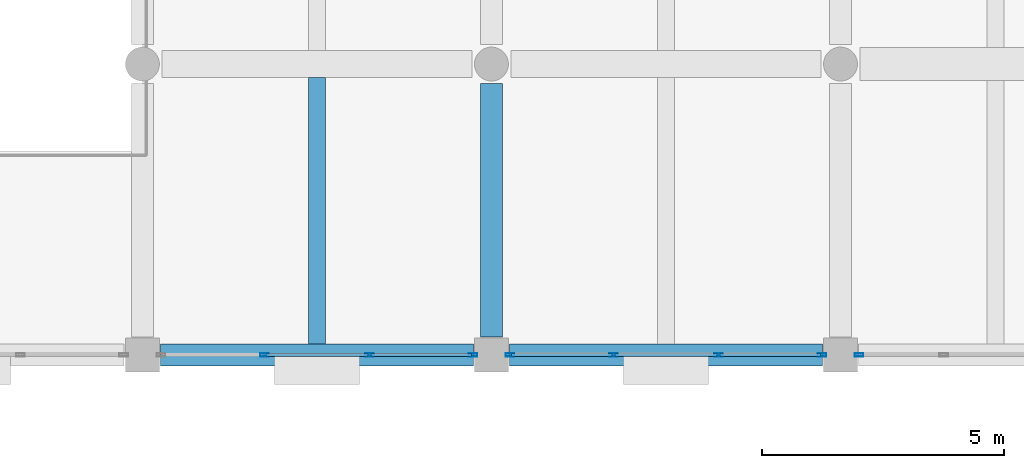
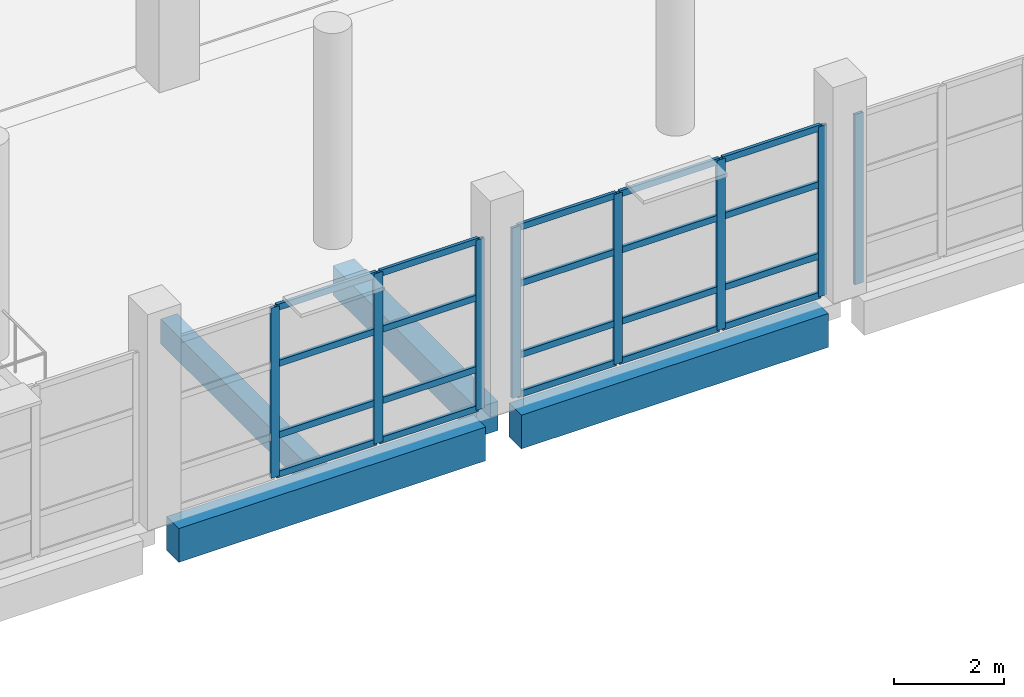
# One storey, part 37 of 91: 28 members, 4 beams, 3 elements without a shape of their own.
"""IFC4 building model written with IfcOpenShell, lengths in metres."""

from ifc_helpers import new_model, si_unit, direction, frame, origin, origin_2d, place, context, subcontext, project, spatial, rectangle, hollow_rectangle, extrude, material, material_profile, profile_set, type_object, element, aggregate, save


model = new_model("IFC4")

# Units and contexts
model_context = context("Model", 3, precision=1e-05, world=origin(), true_north=direction((0.0, 1.0)))
body_context = subcontext(model_context, "Body", "Model", "MODEL_VIEW")
ifc_project = project(units=[si_unit("LENGTHUNIT", "METRE"), si_unit("AREAUNIT", "SQUARE_METRE"), si_unit("VOLUMEUNIT", "CUBIC_METRE"), si_unit("PLANEANGLEUNIT", "RADIAN"), si_unit("MASSUNIT", "GRAM", prefix="KILO")], contexts=[model_context])

# Site, building, storey
site_placement = place(None, origin())
site = spatial("IfcSite", under=ifc_project, at=site_placement, CompositionType="ELEMENT")
building_placement = place(site_placement, origin())
building = spatial("IfcBuilding", under=site, at=building_placement, Name="Pellamere Symphony Hall", CompositionType="ELEMENT")
storey_placement = place(building_placement, frame((0.0, 0.0, 5.39990234375)))
storey = spatial("IfcBuildingStorey", under=building, at=storey_placement, Name="L01", CompositionType="ELEMENT", Elevation=5.39990234375)

# Curtain wall, members
ifc_material_1 = material(Name="Thermally Broken Anodised Aluminium 6063-T6 Curtain Wall", Category="aluminium")
curtain_wall_type = type_object("IfcCurtainWallType", Name="Curtain Wall CW-02 (Winter-Garden South Concourse Curtain Wall)", PredefinedType="NOTDEFINED", material=ifc_material_1)
curtain_wall_1_placement = place(storey_placement, origin())
curtain_wall_1 = element("IfcCurtainWall", 1, at=curtain_wall_1_placement, inside=storey, type_object=curtain_wall_type, Name="Winter-Garden South Curtain Wall (L01 Bay 8)", PredefinedType="NOTDEFINED")
ifc_material_2 = material(Name="Anodised Architectural Aluminium 6063-T6", Category="aluminium")
ifc_material_profile_1 = material_profile(ifc_material_2, hollow_rectangle(XDim=0.06494140625, YDim=0.179931640625, WallThickness=0.00390625, at=origin_2d()), Name="ALU-M65X180X4")
ifc_profile_set_1 = profile_set([ifc_material_profile_1], Name="Anodised Architectural Aluminium 6063-T6")
member_type_1 = type_object("IfcMemberType", Name="Curtain Wall Mullion ML-02 ALU-M65X180X4", PredefinedType="MULLION", material=ifc_profile_set_1)
member_1_placement = place(storey_placement, frame((97.316650390625, 18.0, 0.0), z_axis=(0.0, 0.0, 1.0), x_axis=(0.0, 1.0, 0.0)))
member_1 = element("IfcMember", 2, at=member_1_placement, type_object=member_type_1, Name="CW2-073 crystal mullion 2", PredefinedType="MULLION", context=body_context, shape_type="SweptSolid", body=[
    extrude(hollow_rectangle(XDim=0.06494140625, YDim=0.179931640625, WallThickness=0.00390625, at=origin_2d()), origin(), (0.0, 0.0, 1.0), 3.780029296875),
])
member_2_placement = place(storey_placement, frame((99.4833984375, 18.0, 0.0), z_axis=(0.0, 0.0, 1.0), x_axis=(0.0, 1.0, 0.0)))
member_2 = element("IfcMember", 3, at=member_2_placement, type_object=member_type_1, Name="CW2-073 crystal mullion 3", PredefinedType="MULLION", context=body_context, shape_type="SweptSolid", body=[
    extrude(hollow_rectangle(XDim=0.06494140625, YDim=0.179931640625, WallThickness=0.00390625, at=origin_2d()), origin(), (0.0, 0.0, 1.0), 3.780029296875),
])
member_3_placement = place(storey_placement, frame((101.617431640625, 18.0, 0.0), z_axis=(0.0, 0.0, 1.0), x_axis=(0.0, 1.0, 0.0)))
member_3 = element("IfcMember", 4, at=member_3_placement, type_object=member_type_1, Name="CW2-073 crystal mullion 4", PredefinedType="MULLION", context=body_context, shape_type="SweptSolid", body=[
    extrude(hollow_rectangle(XDim=0.06494140625, YDim=0.179931640625, WallThickness=0.00390625, at=origin_2d()), origin(), (0.0, 0.0, 1.0), 3.780029296875),
])

curtain_wall_2_placement = place(storey_placement, origin())
curtain_wall_2 = element("IfcCurtainWall", 5, at=curtain_wall_2_placement, inside=storey, type_object=curtain_wall_type, Name="Winter-Garden South Curtain Wall (L01 Bay 9)", PredefinedType="NOTDEFINED")
member_4_placement = place(storey_placement, frame((102.382568359375, 18.0, 0.0), z_axis=(0.0, 0.0, 1.0), x_axis=(0.0, 1.0, 0.0)))
member_4 = element("IfcMember", 6, at=member_4_placement, type_object=member_type_1, Name="CW2-074 crystal mullion 1", PredefinedType="MULLION", context=body_context, shape_type="SweptSolid", body=[
    extrude(hollow_rectangle(XDim=0.06494140625, YDim=0.179931640625, WallThickness=0.00390625, at=origin_2d()), origin(), (0.0, 0.0, 1.0), 3.780029296875),
])
member_5_placement = place(storey_placement, frame((104.5166015625, 18.0, 0.0), z_axis=(0.0, 0.0, 1.0), x_axis=(0.0, 1.0, 0.0)))
member_5 = element("IfcMember", 7, at=member_5_placement, type_object=member_type_1, Name="CW2-074 crystal mullion 2", PredefinedType="MULLION", context=body_context, shape_type="SweptSolid", body=[
    extrude(hollow_rectangle(XDim=0.06494140625, YDim=0.179931640625, WallThickness=0.00390625, at=origin_2d()), origin(), (0.0, 0.0, 1.0), 3.780029296875),
])
member_6_placement = place(storey_placement, frame((106.683349609375, 18.0, 0.0), z_axis=(0.0, 0.0, 1.0), x_axis=(0.0, 1.0, 0.0)))
member_6 = element("IfcMember", 8, at=member_6_placement, type_object=member_type_1, Name="CW2-074 crystal mullion 3", PredefinedType="MULLION", context=body_context, shape_type="SweptSolid", body=[
    extrude(hollow_rectangle(XDim=0.06494140625, YDim=0.179931640625, WallThickness=0.00390625, at=origin_2d()), origin(), (0.0, 0.0, 1.0), 3.780029296875),
])
member_7_placement = place(storey_placement, frame((108.8173828125, 18.0, 0.0), z_axis=(0.0, 0.0, 1.0), x_axis=(0.0, 1.0, 0.0)))
member_7 = element("IfcMember", 9, at=member_7_placement, type_object=member_type_1, Name="CW2-074 crystal mullion 4", PredefinedType="MULLION", context=body_context, shape_type="SweptSolid", body=[
    extrude(hollow_rectangle(XDim=0.06494140625, YDim=0.179931640625, WallThickness=0.00390625, at=origin_2d()), origin(), (0.0, 0.0, 1.0), 3.780029296875),
])

# Curtain wall, member
curtain_wall_3_placement = place(storey_placement, origin())
curtain_wall_3 = element("IfcCurtainWall", 10, at=curtain_wall_3_placement, inside=storey, type_object=curtain_wall_type, Name="Winter-Garden South Curtain Wall (L01 Bay 10)", PredefinedType="NOTDEFINED")
member_8_placement = place(storey_placement, frame((109.58251953125, 18.0, 0.0), z_axis=(0.0, 0.0, 1.0), x_axis=(0.0, 1.0, 0.0)))
member_8 = element("IfcMember", 11, at=member_8_placement, type_object=member_type_1, Name="CW2-075 crystal mullion 1", PredefinedType="MULLION", context=body_context, shape_type="SweptSolid", body=[
    extrude(hollow_rectangle(XDim=0.06494140625, YDim=0.179931640625, WallThickness=0.00390625, at=origin_2d()), origin(), (0.0, 0.0, 1.0), 3.780029296875),
])
aggregate(curtain_wall_3, [member_8])

# Member
ifc_material_profile_2 = material_profile(ifc_material_2, hollow_rectangle(XDim=0.06494140625, YDim=0.139892578125, WallThickness=0.00390625, at=origin_2d()), Name="ALU-T65X140X4")
ifc_profile_set_2 = profile_set([ifc_material_profile_2], Name="Anodised Architectural Aluminium 6063-T6")
member_type_2 = type_object("IfcMemberType", Name="Curtain Wall Transom TR-02 ALU-T65X140X4", PredefinedType="USERDEFINED", material=ifc_profile_set_2)
member_9_placement = place(storey_placement, frame((97.34912109375, 18.0, 0.03271484375), z_axis=(1.0, 0.0, 0.0), x_axis=(0.0, 1.0, 0.0)))
member_9 = element("IfcMember", 12, at=member_9_placement, type_object=member_type_2, Name="CW2-073 crystal transom 2.1", ObjectType="TRANSOM", PredefinedType="USERDEFINED", context=body_context, shape_type="SweptSolid", body=[
    extrude(hollow_rectangle(XDim=0.06494140625, YDim=0.139892578125, WallThickness=0.00390625, at=origin_2d()), origin(), (0.0, 0.0, 1.0), 2.101806640625),
])

member_10_placement = place(storey_placement, frame((97.34912109375, 18.0, 0.9072265625), z_axis=(1.0, 0.0, 0.0), x_axis=(0.0, 1.0, 0.0)))
member_10 = element("IfcMember", 13, at=member_10_placement, type_object=member_type_2, Name="CW2-073 crystal transom 2.2", ObjectType="TRANSOM", PredefinedType="USERDEFINED", context=body_context, shape_type="SweptSolid", body=[
    extrude(hollow_rectangle(XDim=0.06494140625, YDim=0.139892578125, WallThickness=0.00390625, at=origin_2d()), origin(), (0.0, 0.0, 1.0), 2.101806640625),
])

member_11_placement = place(storey_placement, frame((97.34912109375, 18.0, 2.494873046875), z_axis=(1.0, 0.0, 0.0), x_axis=(0.0, 1.0, 0.0)))
member_11 = element("IfcMember", 14, at=member_11_placement, type_object=member_type_2, Name="CW2-073 crystal transom 2.3", ObjectType="TRANSOM", PredefinedType="USERDEFINED", context=body_context, shape_type="SweptSolid", body=[
    extrude(hollow_rectangle(XDim=0.06494140625, YDim=0.139892578125, WallThickness=0.00390625, at=origin_2d()), origin(), (0.0, 0.0, 1.0), 2.101806640625),
])

member_12_placement = place(storey_placement, frame((97.34912109375, 18.0, 3.74755859375), z_axis=(1.0, 0.0, 0.0), x_axis=(0.0, 1.0, 0.0)))
member_12 = element("IfcMember", 15, at=member_12_placement, type_object=member_type_2, Name="CW2-073 crystal transom 2.4", ObjectType="TRANSOM", PredefinedType="USERDEFINED", context=body_context, shape_type="SweptSolid", body=[
    extrude(hollow_rectangle(XDim=0.06494140625, YDim=0.139892578125, WallThickness=0.00390625, at=origin_2d()), origin(), (0.0, 0.0, 1.0), 2.101806640625),
])

member_13_placement = place(storey_placement, frame((99.515869140625, 18.0, 0.03271484375), z_axis=(1.0, 0.0, 0.0), x_axis=(0.0, 1.0, 0.0)))
member_13 = element("IfcMember", 16, at=member_13_placement, type_object=member_type_2, Name="CW2-073 crystal transom 3.1", ObjectType="TRANSOM", PredefinedType="USERDEFINED", context=body_context, shape_type="SweptSolid", body=[
    extrude(hollow_rectangle(XDim=0.06494140625, YDim=0.139892578125, WallThickness=0.00390625, at=origin_2d()), origin(), (0.0, 0.0, 1.0), 2.069091796875),
])

member_14_placement = place(storey_placement, frame((99.515869140625, 18.0, 0.9072265625), z_axis=(1.0, 0.0, 0.0), x_axis=(0.0, 1.0, 0.0)))
member_14 = element("IfcMember", 17, at=member_14_placement, type_object=member_type_2, Name="CW2-073 crystal transom 3.2", ObjectType="TRANSOM", PredefinedType="USERDEFINED", context=body_context, shape_type="SweptSolid", body=[
    extrude(hollow_rectangle(XDim=0.06494140625, YDim=0.139892578125, WallThickness=0.00390625, at=origin_2d()), origin(), (0.0, 0.0, 1.0), 2.069091796875),
])

member_15_placement = place(storey_placement, frame((99.515869140625, 18.0, 2.494873046875), z_axis=(1.0, 0.0, 0.0), x_axis=(0.0, 1.0, 0.0)))
member_15 = element("IfcMember", 18, at=member_15_placement, type_object=member_type_2, Name="CW2-073 crystal transom 3.3", ObjectType="TRANSOM", PredefinedType="USERDEFINED", context=body_context, shape_type="SweptSolid", body=[
    extrude(hollow_rectangle(XDim=0.06494140625, YDim=0.139892578125, WallThickness=0.00390625, at=origin_2d()), origin(), (0.0, 0.0, 1.0), 2.069091796875),
])

member_16_placement = place(storey_placement, frame((99.515869140625, 18.0, 3.74755859375), z_axis=(1.0, 0.0, 0.0), x_axis=(0.0, 1.0, 0.0)))
member_16 = element("IfcMember", 19, at=member_16_placement, type_object=member_type_2, Name="CW2-073 crystal transom 3.4", ObjectType="TRANSOM", PredefinedType="USERDEFINED", context=body_context, shape_type="SweptSolid", body=[
    extrude(hollow_rectangle(XDim=0.06494140625, YDim=0.139892578125, WallThickness=0.00390625, at=origin_2d()), origin(), (0.0, 0.0, 1.0), 2.069091796875),
])

aggregate(curtain_wall_1, [member_1, member_2, member_3, member_9, member_10, member_11, member_12, member_13, member_14, member_15, member_16])

member_17_placement = place(storey_placement, frame((102.4150390625, 18.0, 0.03271484375), z_axis=(1.0, 0.0, 0.0), x_axis=(0.0, 1.0, 0.0)))
member_17 = element("IfcMember", 20, at=member_17_placement, type_object=member_type_2, Name="CW2-074 crystal transom 1.1", ObjectType="TRANSOM", PredefinedType="USERDEFINED", context=body_context, shape_type="SweptSolid", body=[
    extrude(hollow_rectangle(XDim=0.06494140625, YDim=0.139892578125, WallThickness=0.00390625, at=origin_2d()), origin(), (0.0, 0.0, 1.0), 2.069091796875),
])

member_18_placement = place(storey_placement, frame((102.4150390625, 18.0, 0.9072265625), z_axis=(1.0, 0.0, 0.0), x_axis=(0.0, 1.0, 0.0)))
member_18 = element("IfcMember", 21, at=member_18_placement, type_object=member_type_2, Name="CW2-074 crystal transom 1.2", ObjectType="TRANSOM", PredefinedType="USERDEFINED", context=body_context, shape_type="SweptSolid", body=[
    extrude(hollow_rectangle(XDim=0.06494140625, YDim=0.139892578125, WallThickness=0.00390625, at=origin_2d()), origin(), (0.0, 0.0, 1.0), 2.069091796875),
])

member_19_placement = place(storey_placement, frame((102.4150390625, 18.0, 2.494873046875), z_axis=(1.0, 0.0, 0.0), x_axis=(0.0, 1.0, 0.0)))
member_19 = element("IfcMember", 22, at=member_19_placement, type_object=member_type_2, Name="CW2-074 crystal transom 1.3", ObjectType="TRANSOM", PredefinedType="USERDEFINED", context=body_context, shape_type="SweptSolid", body=[
    extrude(hollow_rectangle(XDim=0.06494140625, YDim=0.139892578125, WallThickness=0.00390625, at=origin_2d()), origin(), (0.0, 0.0, 1.0), 2.069091796875),
])

member_20_placement = place(storey_placement, frame((102.4150390625, 18.0, 3.74755859375), z_axis=(1.0, 0.0, 0.0), x_axis=(0.0, 1.0, 0.0)))
member_20 = element("IfcMember", 23, at=member_20_placement, type_object=member_type_2, Name="CW2-074 crystal transom 1.4", ObjectType="TRANSOM", PredefinedType="USERDEFINED", context=body_context, shape_type="SweptSolid", body=[
    extrude(hollow_rectangle(XDim=0.06494140625, YDim=0.139892578125, WallThickness=0.00390625, at=origin_2d()), origin(), (0.0, 0.0, 1.0), 2.069091796875),
])

member_21_placement = place(storey_placement, frame((104.549072265625, 18.0, 0.03271484375), z_axis=(1.0, 0.0, 0.0), x_axis=(0.0, 1.0, 0.0)))
member_21 = element("IfcMember", 24, at=member_21_placement, type_object=member_type_2, Name="CW2-074 crystal transom 2.1", ObjectType="TRANSOM", PredefinedType="USERDEFINED", context=body_context, shape_type="SweptSolid", body=[
    extrude(hollow_rectangle(XDim=0.06494140625, YDim=0.139892578125, WallThickness=0.00390625, at=origin_2d()), origin(), (0.0, 0.0, 1.0), 2.101806640625),
])

member_22_placement = place(storey_placement, frame((104.549072265625, 18.0, 0.9072265625), z_axis=(1.0, 0.0, 0.0), x_axis=(0.0, 1.0, 0.0)))
member_22 = element("IfcMember", 25, at=member_22_placement, type_object=member_type_2, Name="CW2-074 crystal transom 2.2", ObjectType="TRANSOM", PredefinedType="USERDEFINED", context=body_context, shape_type="SweptSolid", body=[
    extrude(hollow_rectangle(XDim=0.06494140625, YDim=0.139892578125, WallThickness=0.00390625, at=origin_2d()), origin(), (0.0, 0.0, 1.0), 2.101806640625),
])

member_23_placement = place(storey_placement, frame((104.549072265625, 18.0, 2.494873046875), z_axis=(1.0, 0.0, 0.0), x_axis=(0.0, 1.0, 0.0)))
member_23 = element("IfcMember", 26, at=member_23_placement, type_object=member_type_2, Name="CW2-074 crystal transom 2.3", ObjectType="TRANSOM", PredefinedType="USERDEFINED", context=body_context, shape_type="SweptSolid", body=[
    extrude(hollow_rectangle(XDim=0.06494140625, YDim=0.139892578125, WallThickness=0.00390625, at=origin_2d()), origin(), (0.0, 0.0, 1.0), 2.101806640625),
])

member_24_placement = place(storey_placement, frame((104.549072265625, 18.0, 3.74755859375), z_axis=(1.0, 0.0, 0.0), x_axis=(0.0, 1.0, 0.0)))
member_24 = element("IfcMember", 27, at=member_24_placement, type_object=member_type_2, Name="CW2-074 crystal transom 2.4", ObjectType="TRANSOM", PredefinedType="USERDEFINED", context=body_context, shape_type="SweptSolid", body=[
    extrude(hollow_rectangle(XDim=0.06494140625, YDim=0.139892578125, WallThickness=0.00390625, at=origin_2d()), origin(), (0.0, 0.0, 1.0), 2.101806640625),
])

member_25_placement = place(storey_placement, frame((106.7158203125, 18.0, 0.03271484375), z_axis=(1.0, 0.0, 0.0), x_axis=(0.0, 1.0, 0.0)))
member_25 = element("IfcMember", 28, at=member_25_placement, type_object=member_type_2, Name="CW2-074 crystal transom 3.1", ObjectType="TRANSOM", PredefinedType="USERDEFINED", context=body_context, shape_type="SweptSolid", body=[
    extrude(hollow_rectangle(XDim=0.06494140625, YDim=0.139892578125, WallThickness=0.00390625, at=origin_2d()), origin(), (0.0, 0.0, 1.0), 2.069091796875),
])

member_26_placement = place(storey_placement, frame((106.7158203125, 18.0, 0.9072265625), z_axis=(1.0, 0.0, 0.0), x_axis=(0.0, 1.0, 0.0)))
member_26 = element("IfcMember", 29, at=member_26_placement, type_object=member_type_2, Name="CW2-074 crystal transom 3.2", ObjectType="TRANSOM", PredefinedType="USERDEFINED", context=body_context, shape_type="SweptSolid", body=[
    extrude(hollow_rectangle(XDim=0.06494140625, YDim=0.139892578125, WallThickness=0.00390625, at=origin_2d()), origin(), (0.0, 0.0, 1.0), 2.069091796875),
])

member_27_placement = place(storey_placement, frame((106.7158203125, 18.0, 2.494873046875), z_axis=(1.0, 0.0, 0.0), x_axis=(0.0, 1.0, 0.0)))
member_27 = element("IfcMember", 30, at=member_27_placement, type_object=member_type_2, Name="CW2-074 crystal transom 3.3", ObjectType="TRANSOM", PredefinedType="USERDEFINED", context=body_context, shape_type="SweptSolid", body=[
    extrude(hollow_rectangle(XDim=0.06494140625, YDim=0.139892578125, WallThickness=0.00390625, at=origin_2d()), origin(), (0.0, 0.0, 1.0), 2.069091796875),
])

member_28_placement = place(storey_placement, frame((106.7158203125, 18.0, 3.74755859375), z_axis=(1.0, 0.0, 0.0), x_axis=(0.0, 1.0, 0.0)))
member_28 = element("IfcMember", 31, at=member_28_placement, type_object=member_type_2, Name="CW2-074 crystal transom 3.4", ObjectType="TRANSOM", PredefinedType="USERDEFINED", context=body_context, shape_type="SweptSolid", body=[
    extrude(hollow_rectangle(XDim=0.06494140625, YDim=0.139892578125, WallThickness=0.00390625, at=origin_2d()), origin(), (0.0, 0.0, 1.0), 2.069091796875),
])

aggregate(curtain_wall_2, [member_4, member_5, member_6, member_7, member_17, member_18, member_19, member_20, member_21, member_22, member_23, member_24, member_25, member_26, member_27, member_28])

# Beams
ifc_material_3 = material(Name="Concrete 40 MPa", Category="concrete")
ifc_material_profile_3 = material_profile(ifc_material_3, rectangle(XDim=0.449951171875, YDim=0.64990234375, at=origin_2d()), Name="RC 450x650")
ifc_profile_set_3 = profile_set([ifc_material_profile_3], Name="Concrete 40 MPa")
beam_type_1 = type_object("IfcBeamType", Name="RC CB-08 450x650", PredefinedType="BEAM", material=ifc_profile_set_3)
beam_1_placement = place(storey_placement, frame((102.0, 18.375, -0.60498046875), z_axis=(0.0, 1.0, 0.0), x_axis=(-1.0, 0.0, 0.0)))
element("IfcBeam", 32, at=beam_1_placement, inside=storey, type_object=beam_type_1, Name="Girder CB-08-Y0801 (L01)", PredefinedType="BEAM", context=body_context, shape_type="SweptSolid", body=[
    extrude(rectangle(XDim=0.449951171875, YDim=0.64990234375, at=origin_2d()), origin(), (0.0, 0.0, 1.0), 5.22509765625),
])
ifc_material_4 = material(Name="Concrete 35 MPa", Category="concrete")
ifc_material_profile_4 = material_profile(ifc_material_4, rectangle(XDim=0.35009765625, YDim=0.550048828125, at=origin_2d()), Name="RC 350x550")
ifc_profile_set_4 = profile_set([ifc_material_profile_4], Name="Concrete 35 MPa")
beam_type_2 = type_object("IfcBeamType", Name="RC CB-10 350x550", PredefinedType="BEAM", material=ifc_profile_set_4)
beam_2_placement = place(storey_placement, frame((98.39990234375, 18.22509765625, -0.56982421875), z_axis=(0.0, 1.0, 0.0), x_axis=(-1.0, 0.0, 0.0)))
element("IfcBeam", 33, at=beam_2_placement, inside=storey, type_object=beam_type_2, Name="Secondary Floor Beam CB-10-M1202 (L01)", PredefinedType="BEAM", context=body_context, shape_type="SweptSolid", body=[
    extrude(rectangle(XDim=0.35009765625, YDim=0.550048828125, at=origin_2d()), origin(), (0.0, 0.0, 1.0), 5.494873046875),
])
ifc_material_profile_5 = material_profile(ifc_material_3, rectangle(XDim=0.449951171875, YDim=0.75, at=origin_2d()), Name="RC 450x750")
ifc_profile_set_5 = profile_set([ifc_material_profile_5], Name="Concrete 40 MPa")
beam_type_3 = type_object("IfcBeamType", Name="RC CB-12 450x750", PredefinedType="SPANDREL", material=ifc_profile_set_5)
for number, where, z_axis, x_axis, name in (
    (34, (95.175048828125, 18.0, -0.65478515625), (1.0, 0.0, 0.0), (0.0, 1.0, 0.0), "Girder CB-12-X0554 (L01)"),
    (35, (102.375, 18.0, -0.65478515625), (1.0, 0.0, 0.0), (0.0, 1.0, 0.0), "Girder CB-12-X0555 (L01)"),
):
    element("IfcBeam", number, at=place(storey_placement, frame(where, z_axis=z_axis, x_axis=x_axis)), inside=storey, type_object=beam_type_3, Name=name, PredefinedType="SPANDREL", context=body_context, shape_type="SweptSolid", body=[
        extrude(rectangle(XDim=0.449951171875, YDim=0.75, at=origin_2d()), origin(), (0.0, 0.0, 1.0), 6.449951171875),
    ])

save(model, "model.ifc")
